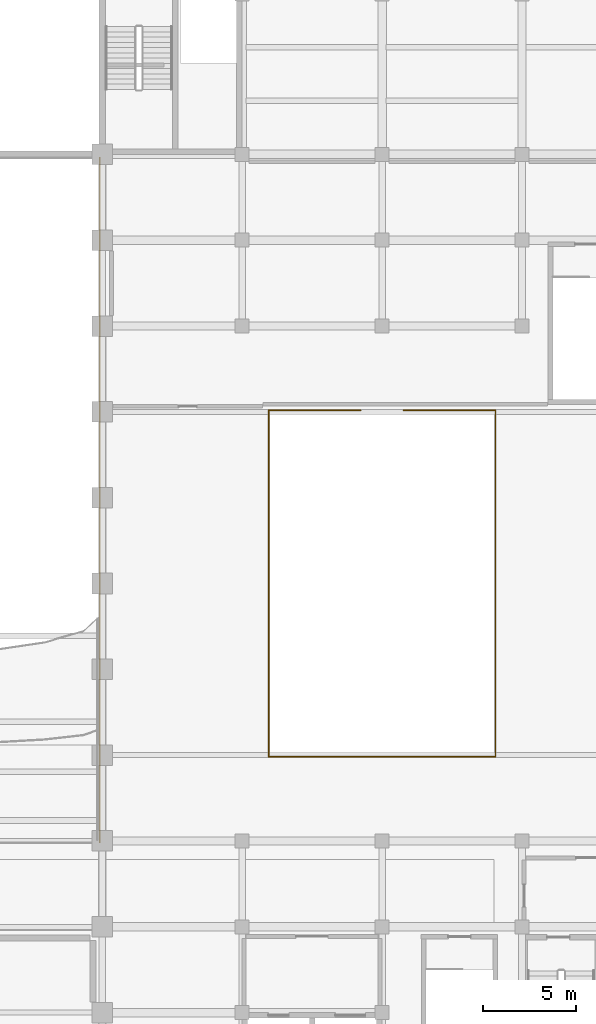
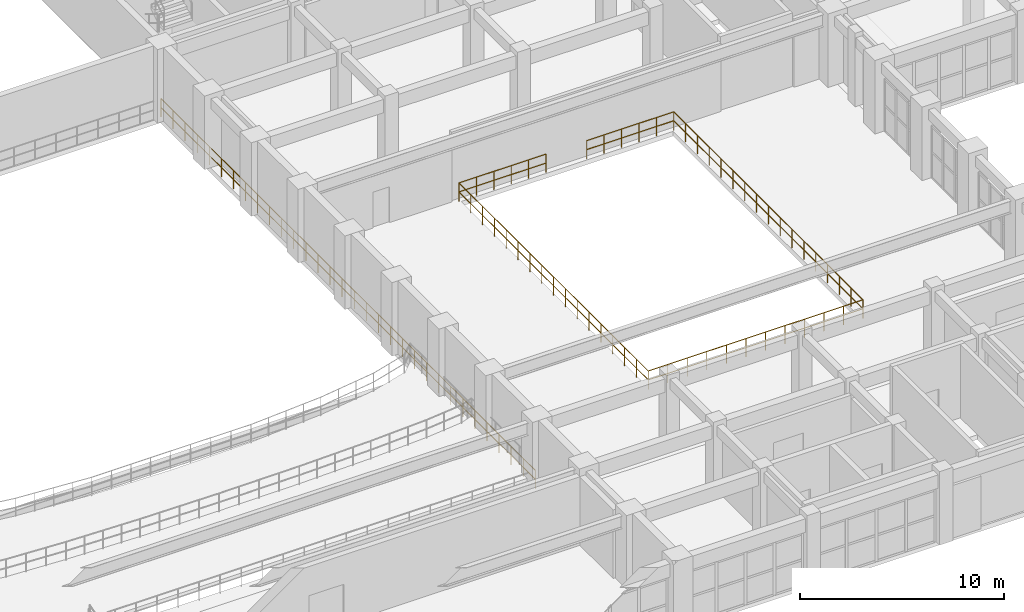
# One storey, part 86 of 90: 6 railings.
"""IFC4 building model written with IfcOpenShell, lengths in metres."""

from ifc_helpers import new_model, si_unit, direction, frame, origin, origin_2d, place, context, subcontext, project, spatial, circle, extrude, material, type_object, element, save


model = new_model("IFC4")

# Units and contexts
model_context = context("Model", 3, precision=1e-05, world=origin(), true_north=direction((0.0, 1.0)))
body_context = subcontext(model_context, "Body", "Model", "MODEL_VIEW")
ifc_project = project(units=[si_unit("LENGTHUNIT", "METRE"), si_unit("AREAUNIT", "SQUARE_METRE"), si_unit("VOLUMEUNIT", "CUBIC_METRE"), si_unit("PLANEANGLEUNIT", "RADIAN"), si_unit("MASSUNIT", "GRAM", prefix="KILO")], contexts=[model_context])

# Site, building, storey
site_placement = place(None, origin())
site = spatial("IfcSite", under=ifc_project, at=site_placement, CompositionType="ELEMENT")
building_placement = place(site_placement, origin())
building = spatial("IfcBuilding", under=site, at=building_placement, Name="Muzn Square Opera House", CompositionType="ELEMENT")
storey_placement = place(building_placement, frame((0.0, 0.0, 9.800048828125)))
storey = spatial("IfcBuildingStorey", under=building, at=storey_placement, Name="L02", CompositionType="ELEMENT", Elevation=9.800048828125)

# Railings
ifc_material = material(Name="Architectural bronze mashrabiya", Category="metal")
railing_type = type_object("IfcRailingType", Name="Bronze Protective Balustrade 1120mm", PredefinedType="BALUSTRADE", material=ifc_material)
railing_1_placement = place(storey_placement, frame((102.8701171875, 35.719970703125, 0.0)))
element("IfcRailing", 1, at=railing_1_placement, inside=storey, type_object=railing_type, Name="Void Edge Balustrade L02-0030", PredefinedType="BALUSTRADE", context=body_context, shape_type="SweptSolid", body=[
    extrude(circle(Radius=0.02392578125, at=origin_2d()), frame((0.0, 0.0, 1.09619140625), z_axis=(0.0, 1.0, 0.0), x_axis=(-1.0, 0.0, 0.0)), (0.0, 0.0, 1.0), 36.7099609375),
    extrude(circle(Radius=0.02392578125, at=origin_2d()), frame((0.0, 0.0, 0.56005859375), z_axis=(0.0, 1.0, 0.0), x_axis=(-1.0, 0.0, 0.0)), (0.0, 0.0, 1.0), 36.7099609375),
    extrude(circle(Radius=0.02099609375, at=origin_2d()), origin(), (0.0, 0.0, 1.0), 1.072021484375),
    extrude(circle(Radius=0.02099609375, at=origin_2d()), frame((0.0, 1.18408203125, 0.0)), (0.0, 0.0, 1.0), 1.072021484375),
    extrude(circle(Radius=0.02099609375, at=origin_2d()), frame((0.0, 2.368408203125, 0.0)), (0.0, 0.0, 1.0), 1.072021484375),
    extrude(circle(Radius=0.02099609375, at=origin_2d()), frame((0.0, 3.552490234375, 0.0)), (0.0, 0.0, 1.0), 1.072021484375),
    extrude(circle(Radius=0.02099609375, at=origin_2d()), frame((0.0, 4.73681640625, 0.0)), (0.0, 0.0, 1.0), 1.072021484375),
    extrude(circle(Radius=0.02099609375, at=origin_2d()), frame((0.0, 5.9208984375, 0.0)), (0.0, 0.0, 1.0), 1.072021484375),
    extrude(circle(Radius=0.02099609375, at=origin_2d()), frame((0.0, 7.105224609375, 0.0)), (0.0, 0.0, 1.0), 1.072021484375),
    extrude(circle(Radius=0.02099609375, at=origin_2d()), frame((0.0, 8.289306640625, 0.0)), (0.0, 0.0, 1.0), 1.072021484375),
    extrude(circle(Radius=0.02099609375, at=origin_2d()), frame((0.0, 9.4736328125, 0.0)), (0.0, 0.0, 1.0), 1.072021484375),
    extrude(circle(Radius=0.02099609375, at=origin_2d()), frame((0.0, 10.65771484375, 0.0)), (0.0, 0.0, 1.0), 1.072021484375),
    extrude(circle(Radius=0.02099609375, at=origin_2d()), frame((0.0, 11.842041015625, 0.0)), (0.0, 0.0, 1.0), 1.072021484375),
    extrude(circle(Radius=0.02099609375, at=origin_2d()), frame((0.0, 13.026123046875, 0.0)), (0.0, 0.0, 1.0), 1.072021484375),
    extrude(circle(Radius=0.02099609375, at=origin_2d()), frame((0.0, 14.210205078125, 0.0)), (0.0, 0.0, 1.0), 1.072021484375),
    extrude(circle(Radius=0.02099609375, at=origin_2d()), frame((0.0, 15.39453125, 0.0)), (0.0, 0.0, 1.0), 1.072021484375),
    extrude(circle(Radius=0.02099609375, at=origin_2d()), frame((0.0, 16.57861328125, 0.0)), (0.0, 0.0, 1.0), 1.072021484375),
    extrude(circle(Radius=0.02099609375, at=origin_2d()), frame((0.0, 17.762939453125, 0.0)), (0.0, 0.0, 1.0), 1.072021484375),
    extrude(circle(Radius=0.02099609375, at=origin_2d()), frame((0.0, 18.947021484375, 0.0)), (0.0, 0.0, 1.0), 1.072021484375),
    extrude(circle(Radius=0.02099609375, at=origin_2d()), frame((0.0, 20.13134765625, 0.0)), (0.0, 0.0, 1.0), 1.072021484375),
    extrude(circle(Radius=0.02099609375, at=origin_2d()), frame((0.0, 21.3154296875, 0.0)), (0.0, 0.0, 1.0), 1.072021484375),
    extrude(circle(Radius=0.02099609375, at=origin_2d()), frame((0.0, 22.499755859375, 0.0)), (0.0, 0.0, 1.0), 1.072021484375),
    extrude(circle(Radius=0.02099609375, at=origin_2d()), frame((0.0, 23.683837890625, 0.0)), (0.0, 0.0, 1.0), 1.072021484375),
    extrude(circle(Radius=0.02099609375, at=origin_2d()), frame((0.0, 24.867919921875, 0.0)), (0.0, 0.0, 1.0), 1.072021484375),
    extrude(circle(Radius=0.02099609375, at=origin_2d()), frame((0.0, 26.05224609375, 0.0)), (0.0, 0.0, 1.0), 1.072021484375),
    extrude(circle(Radius=0.02099609375, at=origin_2d()), frame((0.0, 27.236328125, 0.0)), (0.0, 0.0, 1.0), 1.072021484375),
    extrude(circle(Radius=0.02099609375, at=origin_2d()), frame((0.0, 28.420654296875, 0.0)), (0.0, 0.0, 1.0), 1.072021484375),
    extrude(circle(Radius=0.02099609375, at=origin_2d()), frame((0.0, 29.604736328125, 0.0)), (0.0, 0.0, 1.0), 1.072021484375),
    extrude(circle(Radius=0.02099609375, at=origin_2d()), frame((0.0, 30.7890625, 0.0)), (0.0, 0.0, 1.0), 1.072021484375),
    extrude(circle(Radius=0.02099609375, at=origin_2d()), frame((0.0, 31.97314453125, 0.0)), (0.0, 0.0, 1.0), 1.072021484375),
    extrude(circle(Radius=0.02099609375, at=origin_2d()), frame((0.0, 33.157470703125, 0.0)), (0.0, 0.0, 1.0), 1.072021484375),
    extrude(circle(Radius=0.02099609375, at=origin_2d()), frame((0.0, 34.341552734375, 0.0)), (0.0, 0.0, 1.0), 1.072021484375),
    extrude(circle(Radius=0.02099609375, at=origin_2d()), frame((0.0, 35.52587890625, 0.0)), (0.0, 0.0, 1.0), 1.072021484375),
    extrude(circle(Radius=0.02099609375, at=origin_2d()), frame((0.0, 36.7099609375, 0.0)), (0.0, 0.0, 1.0), 1.072021484375),
])
railing_2_placement = place(storey_placement, frame((111.919921875, 40.320068359375, 0.0)))
element("IfcRailing", 2, at=railing_2_placement, inside=storey, type_object=railing_type, Name="Foyer Light-Well Balustrade L02-0038", PredefinedType="BALUSTRADE", context=body_context, shape_type="SweptSolid", body=[
    extrude(circle(Radius=0.02392578125, at=origin_2d()), frame((0.0, 0.0, 1.09619140625), z_axis=(1.0, 0.0, 0.0), x_axis=(0.0, 1.0, 0.0)), (0.0, 0.0, 1.0), 12.16015625),
    extrude(circle(Radius=0.02392578125, at=origin_2d()), frame((0.0, 0.0, 0.56005859375), z_axis=(1.0, 0.0, 0.0), x_axis=(0.0, 1.0, 0.0)), (0.0, 0.0, 1.0), 12.16015625),
    extrude(circle(Radius=0.02099609375, at=origin_2d()), origin(), (0.0, 0.0, 1.0), 1.072021484375),
    extrude(circle(Radius=0.02099609375, at=origin_2d()), frame((1.10546875, 0.0, 0.0)), (0.0, 0.0, 1.0), 1.072021484375),
    extrude(circle(Radius=0.02099609375, at=origin_2d()), frame((2.2109375, 0.0, 0.0)), (0.0, 0.0, 1.0), 1.072021484375),
    extrude(circle(Radius=0.02099609375, at=origin_2d()), frame((3.31640625, 0.0, 0.0)), (0.0, 0.0, 1.0), 1.072021484375),
    extrude(circle(Radius=0.02099609375, at=origin_2d()), frame((4.421875, 0.0, 0.0)), (0.0, 0.0, 1.0), 1.072021484375),
    extrude(circle(Radius=0.02099609375, at=origin_2d()), frame((5.52734375, 0.0, 0.0)), (0.0, 0.0, 1.0), 1.072021484375),
    extrude(circle(Radius=0.02099609375, at=origin_2d()), frame((6.6328125, 0.0, 0.0)), (0.0, 0.0, 1.0), 1.072021484375),
    extrude(circle(Radius=0.02099609375, at=origin_2d()), frame((7.73828125, 0.0, 0.0)), (0.0, 0.0, 1.0), 1.072021484375),
    extrude(circle(Radius=0.02099609375, at=origin_2d()), frame((8.84375, 0.0, 0.0)), (0.0, 0.0, 1.0), 1.072021484375),
    extrude(circle(Radius=0.02099609375, at=origin_2d()), frame((9.94921875, 0.0, 0.0)), (0.0, 0.0, 1.0), 1.072021484375),
    extrude(circle(Radius=0.02099609375, at=origin_2d()), frame((11.0546875, 0.0, 0.0)), (0.0, 0.0, 1.0), 1.072021484375),
    extrude(circle(Radius=0.02099609375, at=origin_2d()), frame((12.16015625, 0.0, 0.0)), (0.0, 0.0, 1.0), 1.072021484375),
])
railing_3_placement = place(storey_placement, frame((124.080078125, 40.320068359375, 0.0)))
element("IfcRailing", 3, at=railing_3_placement, inside=storey, type_object=railing_type, Name="Foyer Light-Well Balustrade L02-0039", PredefinedType="BALUSTRADE", context=body_context, shape_type="SweptSolid", body=[
    extrude(circle(Radius=0.02392578125, at=origin_2d()), frame((0.0, 0.0, 1.09619140625), z_axis=(0.0, 1.0, 0.0), x_axis=(-1.0, 0.0, 0.0)), (0.0, 0.0, 1.0), 18.559814453125),
    extrude(circle(Radius=0.02392578125, at=origin_2d()), frame((0.0, 0.0, 0.56005859375), z_axis=(0.0, 1.0, 0.0), x_axis=(-1.0, 0.0, 0.0)), (0.0, 0.0, 1.0), 18.559814453125),
    extrude(circle(Radius=0.02099609375, at=origin_2d()), origin(), (0.0, 0.0, 1.0), 1.072021484375),
    extrude(circle(Radius=0.02099609375, at=origin_2d()), frame((0.0, 1.159912109375, 0.0)), (0.0, 0.0, 1.0), 1.072021484375),
    extrude(circle(Radius=0.02099609375, at=origin_2d()), frame((0.0, 2.320068359375, 0.0)), (0.0, 0.0, 1.0), 1.072021484375),
    extrude(circle(Radius=0.02099609375, at=origin_2d()), frame((0.0, 3.47998046875, 0.0)), (0.0, 0.0, 1.0), 1.072021484375),
    extrude(circle(Radius=0.02099609375, at=origin_2d()), frame((0.0, 4.639892578125, 0.0)), (0.0, 0.0, 1.0), 1.072021484375),
    extrude(circle(Radius=0.02099609375, at=origin_2d()), frame((0.0, 5.800048828125, 0.0)), (0.0, 0.0, 1.0), 1.072021484375),
    extrude(circle(Radius=0.02099609375, at=origin_2d()), frame((0.0, 6.9599609375, 0.0)), (0.0, 0.0, 1.0), 1.072021484375),
    extrude(circle(Radius=0.02099609375, at=origin_2d()), frame((0.0, 8.119873046875, 0.0)), (0.0, 0.0, 1.0), 1.072021484375),
    extrude(circle(Radius=0.02099609375, at=origin_2d()), frame((0.0, 9.27978515625, 0.0)), (0.0, 0.0, 1.0), 1.072021484375),
    extrude(circle(Radius=0.02099609375, at=origin_2d()), frame((0.0, 10.43994140625, 0.0)), (0.0, 0.0, 1.0), 1.072021484375),
    extrude(circle(Radius=0.02099609375, at=origin_2d()), frame((0.0, 11.599853515625, 0.0)), (0.0, 0.0, 1.0), 1.072021484375),
    extrude(circle(Radius=0.02099609375, at=origin_2d()), frame((0.0, 12.759765625, 0.0)), (0.0, 0.0, 1.0), 1.072021484375),
    extrude(circle(Radius=0.02099609375, at=origin_2d()), frame((0.0, 13.919921875, 0.0)), (0.0, 0.0, 1.0), 1.072021484375),
    extrude(circle(Radius=0.02099609375, at=origin_2d()), frame((0.0, 15.079833984375, 0.0)), (0.0, 0.0, 1.0), 1.072021484375),
    extrude(circle(Radius=0.02099609375, at=origin_2d()), frame((0.0, 16.23974609375, 0.0)), (0.0, 0.0, 1.0), 1.072021484375),
    extrude(circle(Radius=0.02099609375, at=origin_2d()), frame((0.0, 17.39990234375, 0.0)), (0.0, 0.0, 1.0), 1.072021484375),
    extrude(circle(Radius=0.02099609375, at=origin_2d()), frame((0.0, 18.559814453125, 0.0)), (0.0, 0.0, 1.0), 1.072021484375),
])
for number, where, name in (
    (4, (124.080078125, 58.8798828125, 0.0), "Foyer Light-Well Balustrade L02-0040"),
    (5, (116.85009765625, 58.8798828125, 0.0), "Foyer Light-Well Balustrade L02-0041"),
):
    element("IfcRailing", number, at=place(storey_placement, frame(where)), inside=storey, type_object=railing_type, Name=name, PredefinedType="BALUSTRADE", context=body_context, shape_type="SweptSolid", body=[
        extrude(circle(Radius=0.02392578125, at=origin_2d()), frame((0.0, 0.0, 1.09619140625), z_axis=(-1.0, 0.0, 0.0), x_axis=(0.0, -1.0, 0.0)), (0.0, 0.0, 1.0), 4.93017578125),
        extrude(circle(Radius=0.02392578125, at=origin_2d()), frame((0.0, 0.0, 0.56005859375), z_axis=(-1.0, 0.0, 0.0), x_axis=(0.0, -1.0, 0.0)), (0.0, 0.0, 1.0), 4.93017578125),
        extrude(circle(Radius=0.02099609375, at=origin_2d()), origin(), (0.0, 0.0, 1.0), 1.072021484375),
        extrude(circle(Radius=0.02099609375, at=origin_2d()), frame((-0.986083984375, 0.0, 0.0)), (0.0, 0.0, 1.0), 1.072021484375),
        extrude(circle(Radius=0.02099609375, at=origin_2d()), frame((-1.97216796875, 0.0, 0.0)), (0.0, 0.0, 1.0), 1.072021484375),
        extrude(circle(Radius=0.02099609375, at=origin_2d()), frame((-2.9580078125, 0.0, 0.0)), (0.0, 0.0, 1.0), 1.072021484375),
        extrude(circle(Radius=0.02099609375, at=origin_2d()), frame((-3.944091796875, 0.0, 0.0)), (0.0, 0.0, 1.0), 1.072021484375),
        extrude(circle(Radius=0.02099609375, at=origin_2d()), frame((-4.93017578125, 0.0, 0.0)), (0.0, 0.0, 1.0), 1.072021484375),
    ])
railing_4_placement = place(storey_placement, frame((111.919921875, 58.8798828125, 0.0)))
element("IfcRailing", 6, at=railing_4_placement, inside=storey, type_object=railing_type, Name="Foyer Light-Well Balustrade L02-0042", PredefinedType="BALUSTRADE", context=body_context, shape_type="SweptSolid", body=[
    extrude(circle(Radius=0.02392578125, at=origin_2d()), frame((0.0, 0.0, 1.09619140625), z_axis=(0.0, -1.0, 0.0), x_axis=(1.0, 0.0, 0.0)), (0.0, 0.0, 1.0), 18.559814453125),
    extrude(circle(Radius=0.02392578125, at=origin_2d()), frame((0.0, 0.0, 0.56005859375), z_axis=(0.0, -1.0, 0.0), x_axis=(1.0, 0.0, 0.0)), (0.0, 0.0, 1.0), 18.559814453125),
    extrude(circle(Radius=0.02099609375, at=origin_2d()), origin(), (0.0, 0.0, 1.0), 1.072021484375),
    extrude(circle(Radius=0.02099609375, at=origin_2d()), frame((0.0, -1.159912109375, 0.0)), (0.0, 0.0, 1.0), 1.072021484375),
    extrude(circle(Radius=0.02099609375, at=origin_2d()), frame((0.0, -2.320068359375, 0.0)), (0.0, 0.0, 1.0), 1.072021484375),
    extrude(circle(Radius=0.02099609375, at=origin_2d()), frame((0.0, -3.47998046875, 0.0)), (0.0, 0.0, 1.0), 1.072021484375),
    extrude(circle(Radius=0.02099609375, at=origin_2d()), frame((0.0, -4.639892578125, 0.0)), (0.0, 0.0, 1.0), 1.072021484375),
    extrude(circle(Radius=0.02099609375, at=origin_2d()), frame((0.0, -5.800048828125, 0.0)), (0.0, 0.0, 1.0), 1.072021484375),
    extrude(circle(Radius=0.02099609375, at=origin_2d()), frame((0.0, -6.9599609375, 0.0)), (0.0, 0.0, 1.0), 1.072021484375),
    extrude(circle(Radius=0.02099609375, at=origin_2d()), frame((0.0, -8.119873046875, 0.0)), (0.0, 0.0, 1.0), 1.072021484375),
    extrude(circle(Radius=0.02099609375, at=origin_2d()), frame((0.0, -9.27978515625, 0.0)), (0.0, 0.0, 1.0), 1.072021484375),
    extrude(circle(Radius=0.02099609375, at=origin_2d()), frame((0.0, -10.43994140625, 0.0)), (0.0, 0.0, 1.0), 1.072021484375),
    extrude(circle(Radius=0.02099609375, at=origin_2d()), frame((0.0, -11.599853515625, 0.0)), (0.0, 0.0, 1.0), 1.072021484375),
    extrude(circle(Radius=0.02099609375, at=origin_2d()), frame((0.0, -12.759765625, 0.0)), (0.0, 0.0, 1.0), 1.072021484375),
    extrude(circle(Radius=0.02099609375, at=origin_2d()), frame((0.0, -13.919921875, 0.0)), (0.0, 0.0, 1.0), 1.072021484375),
    extrude(circle(Radius=0.02099609375, at=origin_2d()), frame((0.0, -15.079833984375, 0.0)), (0.0, 0.0, 1.0), 1.072021484375),
    extrude(circle(Radius=0.02099609375, at=origin_2d()), frame((0.0, -16.23974609375, 0.0)), (0.0, 0.0, 1.0), 1.072021484375),
    extrude(circle(Radius=0.02099609375, at=origin_2d()), frame((0.0, -17.39990234375, 0.0)), (0.0, 0.0, 1.0), 1.072021484375),
    extrude(circle(Radius=0.02099609375, at=origin_2d()), frame((0.0, -18.559814453125, 0.0)), (0.0, 0.0, 1.0), 1.072021484375),
])

save(model, "model.ifc")
